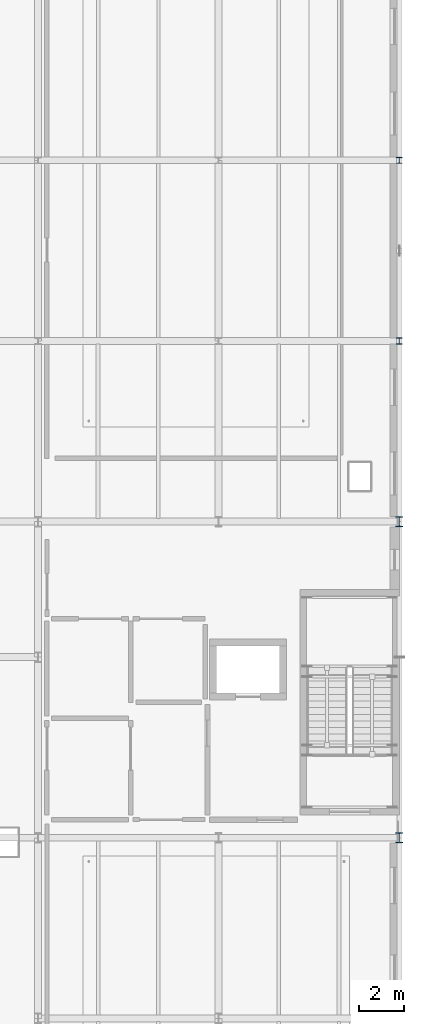
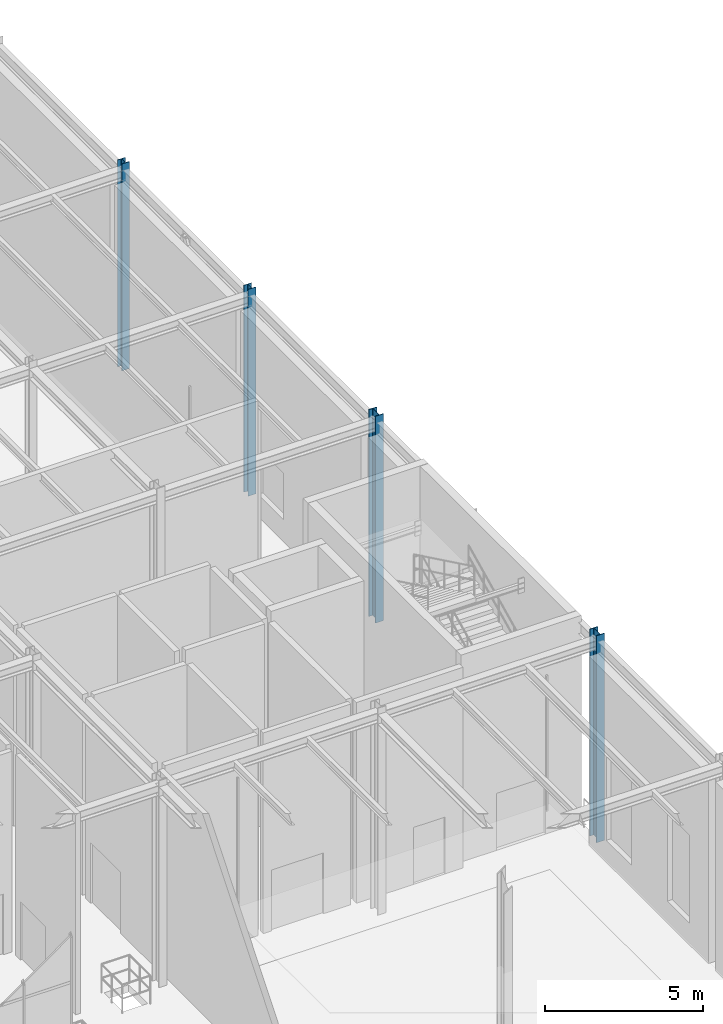
# One storey, part 17 of 138: 4 columns.
"""IFC4 building model written with IfcOpenShell, lengths in metres."""

from ifc_helpers import new_model, si_unit, direction, frame, origin, origin_2d, place, context, subcontext, project, spatial, i_section, extrude, material, material_profile, profile_set, type_object, element, save


model = new_model("IFC4")

# Units and contexts
model_context = context("Model", 3, precision=1e-05, world=origin(), true_north=direction((0.0, 1.0)))
body_context = subcontext(model_context, "Body", "Model", "MODEL_VIEW")
ifc_project = project(units=[si_unit("LENGTHUNIT", "METRE"), si_unit("AREAUNIT", "SQUARE_METRE"), si_unit("VOLUMEUNIT", "CUBIC_METRE"), si_unit("PLANEANGLEUNIT", "RADIAN"), si_unit("MASSUNIT", "GRAM", prefix="KILO")], contexts=[model_context])

# Site, building, storey
site_placement = place(None, origin())
site = spatial("IfcSite", under=ifc_project, at=site_placement, CompositionType="ELEMENT")
building_placement = place(site_placement, origin())
building = spatial("IfcBuilding", under=site, at=building_placement, Name="Sundkrona Museum", CompositionType="ELEMENT")
storey_placement = place(building_placement, frame((0.0, 0.0, 9.60009765625)))
storey = spatial("IfcBuildingStorey", under=building, at=storey_placement, Name="L02", CompositionType="ELEMENT", Elevation=9.60009765625)

# Columns
ifc_material = material(Name="Steel S355J2", Category="steel")
ifc_material_profile_1 = material_profile(ifc_material, i_section(OverallWidth=0.280029296875, OverallDepth=0.280029296875, WebThickness=0.010498046875, FlangeThickness=0.01806640625, FilletRadius=0.02392578125, at=origin_2d()), Name="HEB 280")
ifc_profile_set_1 = profile_set([ifc_material_profile_1], Name="Steel S355J2")
column_type_1 = type_object("IfcColumnType", Name="C-HEB280", PredefinedType="COLUMN", material=ifc_profile_set_1)
for number, where, z_axis, x_axis, name in (
    (1, (168.0, 54.0, 0.0), (0.0, 0.0, 1.0), (1.0, 0.0, 0.0), "L02 Column H/22"),
    (2, (168.0, 62.0, 0.0), (0.0, 0.0, 1.0), (1.0, 0.0, 0.0), "L02 Column J/22"),
):
    element("IfcColumn", number, at=place(storey_placement, frame(where, z_axis=z_axis, x_axis=x_axis)), inside=storey, type_object=column_type_1, Name=name, PredefinedType="COLUMN", context=body_context, shape_type="SweptSolid", body=[
        extrude(i_section(OverallWidth=0.280029296875, OverallDepth=0.280029296875, WebThickness=0.010498046875, FlangeThickness=0.01806640625, FilletRadius=0.02392578125, at=origin_2d()), origin(), (0.0, 0.0, 1.0), 8.0),
    ])
ifc_material_profile_2 = material_profile(ifc_material, i_section(OverallWidth=0.300048828125, OverallDepth=0.449951171875, WebThickness=0.013916015625, FlangeThickness=0.02587890625, FilletRadius=0.027099609375, at=origin_2d()), Name="HEB 450")
ifc_profile_set_2 = profile_set([ifc_material_profile_2], Name="Steel S355J2")
column_type_2 = type_object("IfcColumnType", Name="C-HEB450", PredefinedType="COLUMN", material=ifc_profile_set_2)
for number, where, z_axis, x_axis, name in (
    (3, (168.0, 32.0, 0.0), (0.0, 0.0, 1.0), (1.0, 0.0, 0.0), "L02 Column E/22"),
    (4, (168.0, 46.0, 0.0), (0.0, 0.0, 1.0), (1.0, 0.0, 0.0), "L02 Column G/22"),
):
    element("IfcColumn", number, at=place(storey_placement, frame(where, z_axis=z_axis, x_axis=x_axis)), inside=storey, type_object=column_type_2, Name=name, PredefinedType="COLUMN", context=body_context, shape_type="SweptSolid", body=[
        extrude(i_section(OverallWidth=0.300048828125, OverallDepth=0.449951171875, WebThickness=0.013916015625, FlangeThickness=0.02587890625, FilletRadius=0.027099609375, at=origin_2d()), origin(), (0.0, 0.0, 1.0), 8.0),
    ])

save(model, "model.ifc")
